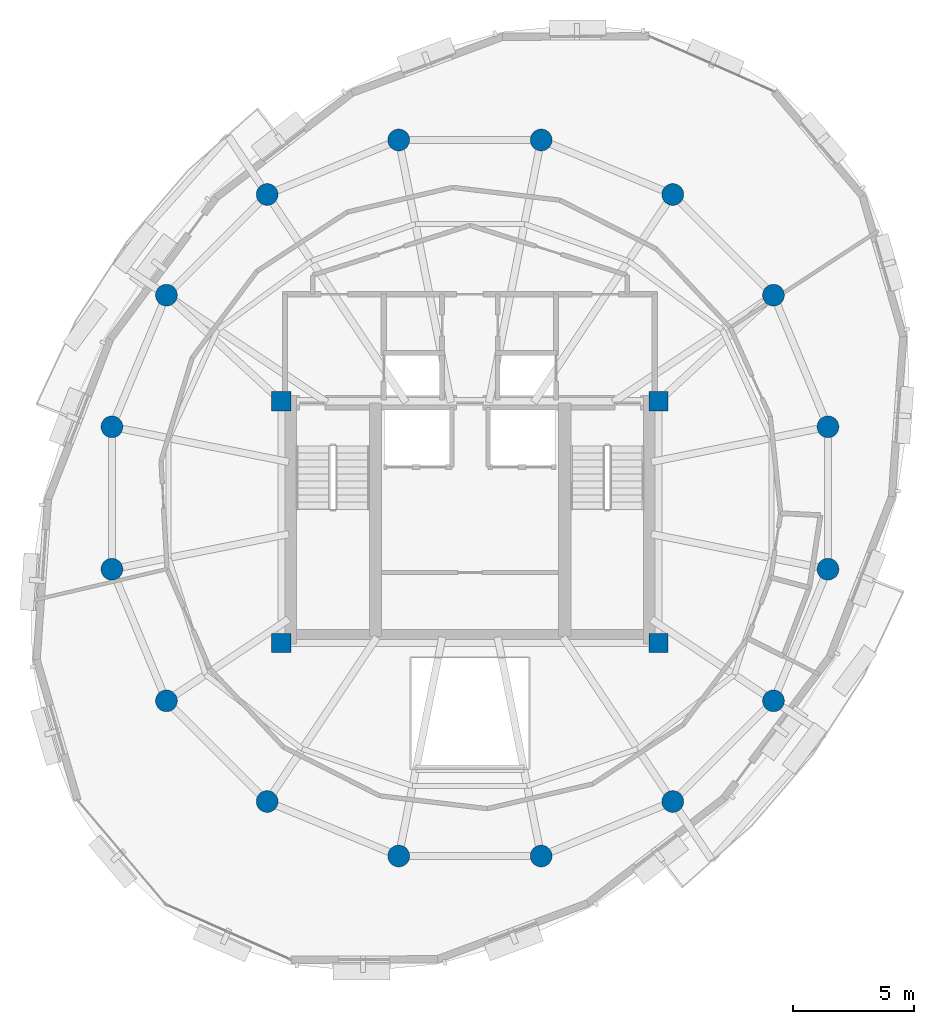
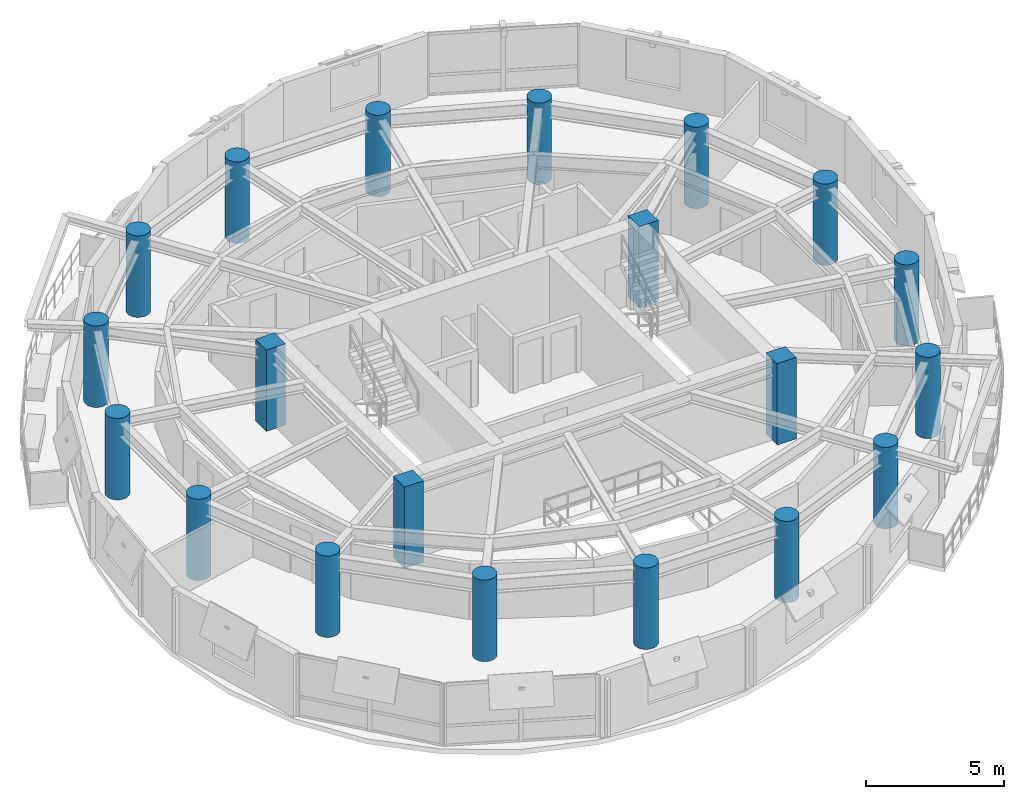
# One storey, part 1 of 11: 20 columns.
"""IFC4 building model written with IfcOpenShell, lengths in metres."""

from ifc_helpers import new_model, si_unit, direction, frame, origin, origin_2d, place, context, subcontext, project, spatial, rectangle, circle, extrude, material, material_profile, profile_set, type_object, element, save


model = new_model("IFC4")

# Units and contexts
model_context = context("Model", 3, precision=1e-05, world=origin(), true_north=direction((0.0, 1.0)))
body_context = subcontext(model_context, "Body", "Model", "MODEL_VIEW")
ifc_project = project(units=[si_unit("LENGTHUNIT", "METRE"), si_unit("AREAUNIT", "SQUARE_METRE"), si_unit("VOLUMEUNIT", "CUBIC_METRE"), si_unit("PLANEANGLEUNIT", "RADIAN"), si_unit("MASSUNIT", "GRAM", prefix="KILO"), si_unit("THERMODYNAMICTEMPERATUREUNIT", "KELVIN"), si_unit("POWERUNIT", "WATT")], contexts=[model_context])

# Site, building, storey
site_placement = place(None, origin())
site = spatial("IfcSite", under=ifc_project, at=site_placement, CompositionType="ELEMENT")
building_placement = place(site_placement, origin())
building = spatial("IfcBuilding", under=site, at=building_placement, Name="Ocrelia Relay Tower", CompositionType="ELEMENT")
storey_placement = place(building_placement, frame((0.0, 0.0, 252.0)))
storey = spatial("IfcBuildingStorey", under=building, at=storey_placement, Name="L62", CompositionType="ELEMENT", Elevation=252.0)

# Columns
ifc_material_1 = material(Name="Concrete C50/60", Category="concrete")
ifc_material_profile_1 = material_profile(ifc_material_1, circle(Radius=0.449951171875, at=origin_2d()), Name="RC-CIR-900")
ifc_profile_set_1 = profile_set([ifc_material_profile_1], Name="Concrete C50/60")
column_type_1 = type_object("IfcColumnType", Name="COL-CT-900", PredefinedType="COLUMN", material=ifc_profile_set_1)
for number, where, z_axis, x_axis, name in (
    (1, (48.809814453125, 28.94580078125, 0.0), (0.0, 0.0, 1.0), (1.0, 0.0, 0.0), "L62 Perimeter Ring Column C01"),
    (2, (46.55517578125, 34.38916015625, 0.0), (0.0, 0.0, 1.0), (1.0, 0.0, 0.0), "L62 Perimeter Ring Column C02"),
    (3, (42.38916015625, 38.55517578125, 0.0), (0.0, 0.0, 1.0), (1.0, 0.0, 0.0), "L62 Perimeter Ring Column C03"),
    (4, (36.94580078125, 40.809814453125, 0.0), (0.0, 0.0, 1.0), (1.0, 0.0, 0.0), "L62 Perimeter Ring Column C04"),
    (5, (31.05419921875, 40.809814453125, 0.0), (0.0, 0.0, 1.0), (1.0, 0.0, 0.0), "L62 Perimeter Ring Column C05"),
    (6, (25.61083984375, 38.55517578125, 0.0), (0.0, 0.0, 1.0), (1.0, 0.0, 0.0), "L62 Perimeter Ring Column C06"),
    (7, (21.44482421875, 34.38916015625, 0.0), (0.0, 0.0, 1.0), (1.0, 0.0, 0.0), "L62 Perimeter Ring Column C07"),
    (8, (19.190185546875, 28.94580078125, 0.0), (0.0, 0.0, 1.0), (1.0, 0.0, 0.0), "L62 Perimeter Ring Column C08"),
    (9, (19.190185546875, 23.05419921875, 0.0), (0.0, 0.0, 1.0), (1.0, 0.0, 0.0), "L62 Perimeter Ring Column C09"),
    (10, (21.44482421875, 17.61083984375, 0.0), (0.0, 0.0, 1.0), (1.0, 0.0, 0.0), "L62 Perimeter Ring Column C10"),
    (11, (25.61083984375, 13.44482421875, 0.0), (0.0, 0.0, 1.0), (1.0, 0.0, 0.0), "L62 Perimeter Ring Column C11"),
    (12, (31.05419921875, 11.190185546875, 0.0), (0.0, 0.0, 1.0), (1.0, 0.0, 0.0), "L62 Perimeter Ring Column C12"),
    (13, (36.94580078125, 11.190185546875, 0.0), (0.0, 0.0, 1.0), (1.0, 0.0, 0.0), "L62 Perimeter Ring Column C13"),
    (14, (42.38916015625, 13.44482421875, 0.0), (0.0, 0.0, 1.0), (1.0, 0.0, 0.0), "L62 Perimeter Ring Column C14"),
    (15, (46.55517578125, 17.61083984375, 0.0), (0.0, 0.0, 1.0), (1.0, 0.0, 0.0), "L62 Perimeter Ring Column C15"),
    (16, (48.809814453125, 23.05419921875, 0.0), (0.0, 0.0, 1.0), (1.0, 0.0, 0.0), "L62 Perimeter Ring Column C16"),
):
    element("IfcColumn", number, at=place(storey_placement, frame(where, z_axis=z_axis, x_axis=x_axis)), inside=storey, type_object=column_type_1, Name=name, PredefinedType="COLUMN", context=body_context, shape_type="SweptSolid", body=[
        extrude(circle(Radius=0.449951171875, at=origin_2d()), origin(), (0.0, 0.0, 1.0), 3.60009765625),
    ])
ifc_material_2 = material(Name="Concrete C60/75", Category="concrete")
ifc_material_profile_2 = material_profile(ifc_material_2, rectangle(XDim=0.800048828125, YDim=0.800048828125, at=origin_2d()), Name="RC-COL-800x800")
ifc_profile_set_2 = profile_set([ifc_material_profile_2], Name="Concrete C60/75")
column_type_2 = type_object("IfcColumnType", Name="COL-PILASTER-800", PredefinedType="PILASTER", material=ifc_profile_set_2)
for number, where, z_axis, x_axis, name in (
    (17, (26.199951171875, 20.0, 0.0), (0.0, 0.0, 1.0), (1.0, 0.0, 0.0), "L62 Core Corner Pilaster SW"),
    (18, (41.800048828125, 20.0, 0.0), (0.0, 0.0, 1.0), (1.0, 0.0, 0.0), "L62 Core Corner Pilaster SE"),
    (19, (26.199951171875, 30.0, 0.0), (0.0, 0.0, 1.0), (1.0, 0.0, 0.0), "L62 Core Corner Pilaster NW"),
    (20, (41.800048828125, 30.0, 0.0), (0.0, 0.0, 1.0), (1.0, 0.0, 0.0), "L62 Core Corner Pilaster NE"),
):
    element("IfcColumn", number, at=place(storey_placement, frame(where, z_axis=z_axis, x_axis=x_axis)), inside=storey, type_object=column_type_2, Name=name, PredefinedType="PILASTER", context=body_context, shape_type="SweptSolid", body=[
        extrude(rectangle(XDim=0.800048828125, YDim=0.800048828125, at=origin_2d()), origin(), (0.0, 0.0, 1.0), 3.60009765625),
    ])

save(model, "model.ifc")
